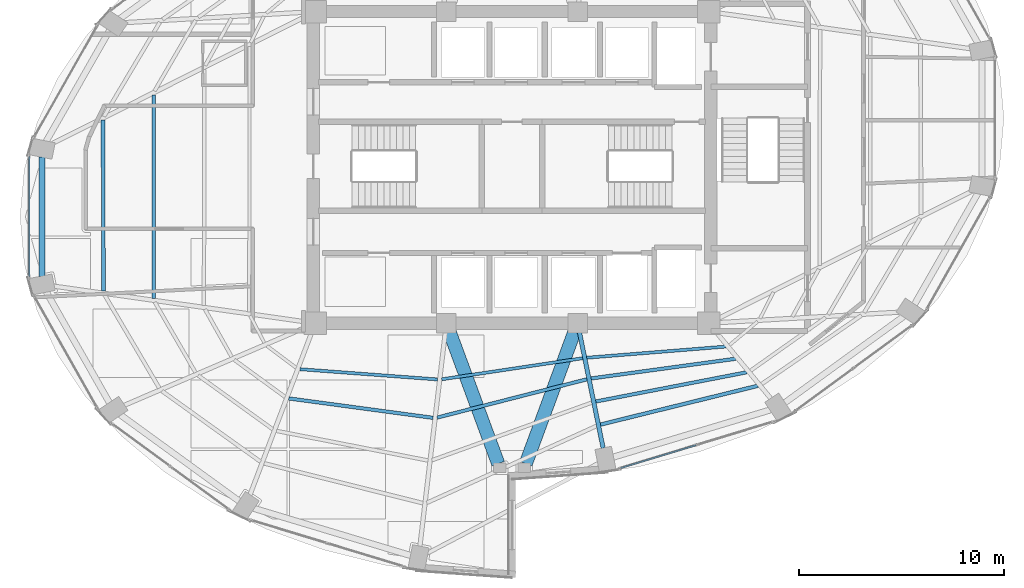
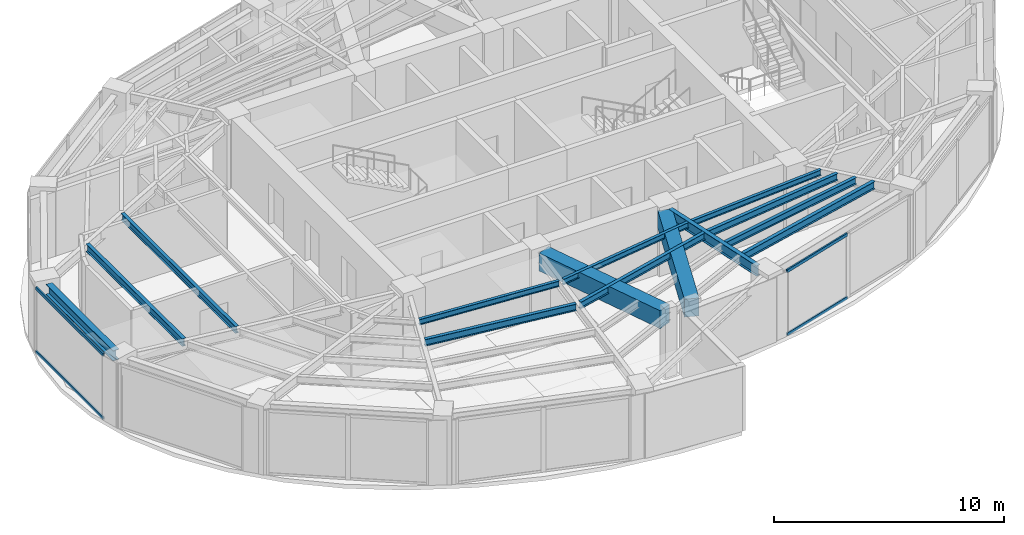
# One storey, part 5 of 20: 14 beams, 4 members, 2 elements without a shape of their own.
"""IFC4 building model written with IfcOpenShell, lengths in metres."""

from ifc_helpers import new_model, si_unit, direction, frame, origin, origin_2d, place, context, subcontext, project, spatial, rectangle, hollow_rectangle, i_section, extrude, material, layer, layer_set, material_profile, profile_set, type_object, element, aggregate, save


model = new_model("IFC4")

# Units and contexts
model_context = context("Model", 3, precision=1e-05, world=origin(), true_north=direction((0.0, 1.0)))
body_context = subcontext(model_context, "Body", "Model", "MODEL_VIEW")
ifc_project = project(units=[si_unit("LENGTHUNIT", "METRE"), si_unit("AREAUNIT", "SQUARE_METRE"), si_unit("VOLUMEUNIT", "CUBIC_METRE"), si_unit("PLANEANGLEUNIT", "RADIAN"), si_unit("MASSUNIT", "GRAM", prefix="KILO")], contexts=[model_context])

# Site, building, storey
site_placement = place(None, origin())
site = spatial("IfcSite", under=ifc_project, at=site_placement, CompositionType="ELEMENT")
building_placement = place(site_placement, origin())
building = spatial("IfcBuilding", under=site, at=building_placement, Name="Lazwardi Medical Tower", CompositionType="ELEMENT")
storey_placement = place(building_placement, frame((0.0, 0.0, 145.583984375)))
storey = spatial("IfcBuildingStorey", under=building, at=storey_placement, Name="L37", CompositionType="ELEMENT", Elevation=145.583984375)

# Beams
ifc_material_1 = material(Name="Concrete C60/75", Category="concrete")
ifc_material_profile_1 = material_profile(ifc_material_1, rectangle(XDim=0.64990234375, YDim=0.949951171875, at=origin_2d()), Name="RC 650x950")
ifc_profile_set_1 = profile_set([ifc_material_profile_1], Name="Concrete C60/75")
beam_type_1 = type_object("IfcBeamType", Name="BM-CB-RC2", PredefinedType="LINTEL", material=ifc_profile_set_1)
for number, where, z_axis, x_axis, name in (
    (1, (32.959228515625, 19.968505859375, 2.953125), (0.34601281054, -0.938229787921, 0.0), (0.938229787921, 0.34601281054, 0.0), "Core coupling lintel CB-02 PL3 L37"),
    (2, (39.040771484375, 19.968505859375, 2.953125), (-0.34601281054, -0.938229787921, 0.0), (0.938229787921, -0.34601281054, 0.0), "Core coupling lintel CB-02 PL4 L37"),
):
    element("IfcBeam", number, at=place(storey_placement, frame(where, z_axis=z_axis, x_axis=x_axis)), inside=storey, type_object=beam_type_1, Name=name, PredefinedType="LINTEL", context=body_context, shape_type="SweptSolid", body=[
        extrude(rectangle(XDim=0.64990234375, YDim=0.949951171875, at=origin_2d()), origin(), (0.0, 0.0, 1.0), 6.84423828125),
    ])
ifc_material_2 = material(Name="Steel S355", Category="steel")
ifc_material_profile_2 = material_profile(ifc_material_2, i_section(OverallWidth=0.300048828125, OverallDepth=0.550048828125, WebThickness=0.014892578125, FlangeThickness=0.029052734375, at=origin_2d()), Name="HEB 550")
ifc_profile_set_2 = profile_set([ifc_material_profile_2], Name="Steel S355")
beam_type_2 = type_object("IfcBeamType", Name="BM-RB-Z3", PredefinedType="BEAM", material=ifc_profile_set_2)
beam_1_placement = place(storey_placement, frame((13.07421875, 28.51171875, 3.153076171875), z_axis=(0.0, -1.0, 0.0), x_axis=(1.0, 0.0, 0.0)))
element("IfcBeam", 3, at=beam_1_placement, inside=storey, type_object=beam_type_2, Name="Ring beam RB-04 B12 L37", PredefinedType="BEAM", context=body_context, shape_type="SweptSolid", body=[
    extrude(i_section(OverallWidth=0.300048828125, OverallDepth=0.550048828125, WebThickness=0.014892578125, FlangeThickness=0.029052734375, at=origin_2d()), origin(), (0.0, 0.0, 1.0), 5.823486328125),
])
ifc_material_profile_3 = material_profile(ifc_material_2, i_section(OverallWidth=0.2099609375, OverallDepth=0.550048828125, WebThickness=0.010986328125, FlangeThickness=0.01708984375, at=origin_2d()), Name="IPE 550")
ifc_profile_set_3 = profile_set([ifc_material_profile_3], Name="Steel S355")
beam_type_3 = type_object("IfcBeamType", Name="BM-RG-W2", PredefinedType="BEAM", material=ifc_profile_set_3)
beam_2_placement = place(storey_placement, frame((40.447998046875, 14.2998046875, 3.153076171875), z_axis=(-0.200429485343, 0.979708130723, 0.0), x_axis=(-0.979708130723, -0.200429485343, 0.0)))
element("IfcBeam", 4, at=beam_2_placement, inside=storey, type_object=beam_type_3, Name="Radial girder RG-03 R01 L37", PredefinedType="BEAM", context=body_context, shape_type="SweptSolid", body=[
    extrude(i_section(OverallWidth=0.2099609375, OverallDepth=0.550048828125, WebThickness=0.010986328125, FlangeThickness=0.01708984375, at=origin_2d()), origin(), (0.0, 0.0, 1.0), 5.766357421875),
])
ifc_material_profile_4 = material_profile(ifc_material_2, i_section(OverallWidth=0.179931640625, OverallDepth=0.39990234375, WebThickness=0.008544921875, FlangeThickness=0.013427734375, at=origin_2d()), Name="IPE 400")
ifc_profile_set_4 = profile_set([ifc_material_profile_4], Name="Steel S355")
beam_type_4 = type_object("IfcBeamType", Name="BM-SJ-01", PredefinedType="JOIST", material=ifc_profile_set_4)
beam_3_placement = place(storey_placement, frame((40.31396484375, 15.45361328125, 3.22802734375), z_axis=(0.970912648168, 0.239433977597, 0.0), x_axis=(-0.239433977597, 0.970912648168, 0.0)))
element("IfcBeam", 5, at=beam_3_placement, inside=storey, type_object=beam_type_4, Name="Secondary joist SJ-01 R1 B01 L37", PredefinedType="JOIST", context=body_context, shape_type="SweptSolid", body=[
    extrude(i_section(OverallWidth=0.179931640625, OverallDepth=0.39990234375, WebThickness=0.008544921875, FlangeThickness=0.013427734375, at=origin_2d()), origin(), (0.0, 0.0, 1.0), 7.91162109375),
])
beam_4_placement = place(storey_placement, frame((16.04443359375, 30.30224609375, 3.22802734375), z_axis=(0.003864366017, -0.99999253331, 0.0), x_axis=(0.99999253331, 0.003864366017, 0.0)))
element("IfcBeam", 6, at=beam_4_placement, inside=storey, type_object=beam_type_4, Name="Secondary joist SJ-01 R1 B12 L37", PredefinedType="JOIST", context=body_context, shape_type="SweptSolid", body=[
    extrude(i_section(OverallWidth=0.179931640625, OverallDepth=0.39990234375, WebThickness=0.008544921875, FlangeThickness=0.013427734375, at=origin_2d()), origin(), (0.0, 0.0, 1.0), 8.33935546875),
])
ifc_material_profile_5 = material_profile(ifc_material_2, i_section(OverallWidth=0.169921875, OverallDepth=0.360107421875, WebThickness=0.008056640625, FlangeThickness=0.0126953125, at=origin_2d()), Name="IPE 360")
ifc_profile_set_5 = profile_set([ifc_material_profile_5], Name="Steel S355")
beam_type_5 = type_object("IfcBeamType", Name="BM-SJ-02", PredefinedType="JOIST", material=ifc_profile_set_5)
beam_5_placement = place(storey_placement, frame((40.083984375, 16.57861328125, 3.248046875), z_axis=(0.981753035865, 0.190160396953, 0.0), x_axis=(-0.190160396953, 0.981753035865, 0.0)))
element("IfcBeam", 7, at=beam_5_placement, inside=storey, type_object=beam_type_5, Name="Secondary joist SJ-02 R2 B01 L37", PredefinedType="JOIST", context=body_context, shape_type="SweptSolid", body=[
    extrude(i_section(OverallWidth=0.169921875, OverallDepth=0.360107421875, WebThickness=0.008056640625, FlangeThickness=0.0126953125, at=origin_2d()), origin(), (0.0, 0.0, 1.0), 7.50927734375),
])
beam_6_placement = place(storey_placement, frame((18.513671875, 31.541748046875, 3.248046875), z_axis=(0.001156040156, -0.999999331785, 0.0), x_axis=(0.999999331785, 0.001156040156, 0.0)))
element("IfcBeam", 8, at=beam_6_placement, inside=storey, type_object=beam_type_5, Name="Secondary joist SJ-02 R2 B12 L37", PredefinedType="JOIST", context=body_context, shape_type="SweptSolid", body=[
    extrude(i_section(OverallWidth=0.169921875, OverallDepth=0.360107421875, WebThickness=0.008056640625, FlangeThickness=0.0126953125, at=origin_2d()), origin(), (0.0, 0.0, 1.0), 9.92578125),
])
beam_7_placement = place(storey_placement, frame((39.853515625, 17.702880859375, 3.248046875), z_axis=(0.990832043476, 0.135099450852, 0.0), x_axis=(-0.135099450852, 0.990832043476, 0.0)))
element("IfcBeam", 9, at=beam_7_placement, inside=storey, type_object=beam_type_5, Name="Secondary joist SJ-02 R3 B01 L37", PredefinedType="JOIST", context=body_context, shape_type="SweptSolid", body=[
    extrude(i_section(OverallWidth=0.169921875, OverallDepth=0.360107421875, WebThickness=0.008056640625, FlangeThickness=0.0126953125, at=origin_2d()), origin(), (0.0, 0.0, 1.0), 7.129150390625),
])
beam_8_placement = place(storey_placement, frame((25.110107421875, 16.730224609375, 3.248046875), z_axis=(0.991056291961, -0.133444468468, 0.0), x_axis=(0.133444468468, 0.991056291961, 0.0)))
element("IfcBeam", 10, at=beam_8_placement, inside=storey, type_object=beam_type_5, Name="Secondary joist SJ-02 R3 B15 L37", PredefinedType="JOIST", context=body_context, shape_type="SweptSolid", body=[
    extrude(i_section(OverallWidth=0.169921875, OverallDepth=0.360107421875, WebThickness=0.008056640625, FlangeThickness=0.0126953125, at=origin_2d()), origin(), (0.0, 0.0, 1.0), 7.10400390625),
])
beam_9_placement = place(storey_placement, frame((32.3466796875, 15.793701171875, 3.248046875), z_axis=(0.96877632572, 0.247936344097, 0.0), x_axis=(-0.247936344097, 0.96877632572, 0.0)))
element("IfcBeam", 11, at=beam_9_placement, inside=storey, type_object=beam_type_5, Name="Secondary joist SJ-02 R3 B16 L37", PredefinedType="JOIST", context=body_context, shape_type="SweptSolid", body=[
    extrude(i_section(OverallWidth=0.169921875, OverallDepth=0.360107421875, WebThickness=0.008056640625, FlangeThickness=0.0126953125, at=origin_2d()), origin(), (0.0, 0.0, 1.0), 7.546630859375),
])
ifc_material_profile_6 = material_profile(ifc_material_2, i_section(OverallWidth=0.14990234375, OverallDepth=0.300048828125, WebThickness=0.007080078125, FlangeThickness=0.0107421875, at=origin_2d()), Name="IPE 300")
ifc_profile_set_6 = profile_set([ifc_material_profile_6], Name="Steel S355")
beam_type_6 = type_object("IfcBeamType", Name="BM-SJ-03", PredefinedType="JOIST", material=ifc_profile_set_6)
beam_10_placement = place(storey_placement, frame((39.646240234375, 18.71435546875, 3.278076171875), z_axis=(0.996785792338, 0.08011294647, 0.0), x_axis=(-0.08011294647, 0.996785792338, 0.0)))
element("IfcBeam", 12, at=beam_10_placement, inside=storey, type_object=beam_type_6, Name="Secondary joist SJ-03 R4 B01 L37", PredefinedType="JOIST", context=body_context, shape_type="SweptSolid", body=[
    extrude(i_section(OverallWidth=0.14990234375, OverallDepth=0.300048828125, WebThickness=0.007080078125, FlangeThickness=0.0107421875, at=origin_2d()), origin(), (0.0, 0.0, 1.0), 6.80810546875),
])
beam_11_placement = place(storey_placement, frame((25.650390625, 18.156494140625, 3.278076171875), z_axis=(0.99722699261, -0.074419924822, 0.0), x_axis=(0.074419924822, 0.99722699261, 0.0)))
element("IfcBeam", 13, at=beam_11_placement, inside=storey, type_object=beam_type_6, Name="Secondary joist SJ-03 R4 B15 L37", PredefinedType="JOIST", context=body_context, shape_type="SweptSolid", body=[
    extrude(i_section(OverallWidth=0.14990234375, OverallDepth=0.300048828125, WebThickness=0.007080078125, FlangeThickness=0.0107421875, at=origin_2d()), origin(), (0.0, 0.0, 1.0), 6.74169921875),
])
beam_12_placement = place(storey_placement, frame((32.57177734375, 17.662109375, 3.278076171875), z_axis=(0.98897469849, 0.148084589835, 0.0), x_axis=(-0.148084589835, 0.98897469849, 0.0)))
element("IfcBeam", 14, at=beam_12_placement, inside=storey, type_object=beam_type_6, Name="Secondary joist SJ-03 R4 B16 L37", PredefinedType="JOIST", context=body_context, shape_type="SweptSolid", body=[
    extrude(i_section(OverallWidth=0.14990234375, OverallDepth=0.300048828125, WebThickness=0.007080078125, FlangeThickness=0.0107421875, at=origin_2d()), origin(), (0.0, 0.0, 1.0), 6.952392578125),
])

# Curtain wall, members
ifc_material_3 = material(Name="Anodised bronze aluminium and solar control glazing", Category="aluminium")
ifc_layer = layer(ifc_material_3, 0.195068359375)
ifc_layer_set = layer_set([ifc_layer], Name="Anodised bronze aluminium and solar control glazing")
curtain_wall_type = type_object("IfcCurtainWallType", Name="CW-SYS-03", PredefinedType="NOTDEFINED", material=ifc_layer_set)
curtain_wall_1_placement = place(storey_placement, origin())
curtain_wall_1 = element("IfcCurtainWall", 15, at=curtain_wall_1_placement, inside=storey, type_object=curtain_wall_type, Name="L37 Unitised bronze curtain wall CW-03", PredefinedType="NOTDEFINED")
ifc_material_4 = material(Name="Anodised bronze aluminium", Category="aluminium")
ifc_material_profile_7 = material_profile(ifc_material_4, hollow_rectangle(XDim=0.074951171875, YDim=0.159912109375, WallThickness=0.00390625, at=origin_2d()), Name="ALU-TRANSOM 160x75x4")
ifc_profile_set_7 = profile_set([ifc_material_profile_7], Name="Anodised bronze aluminium")
member_type = type_object("IfcMemberType", Name="CW-TRN-01", PredefinedType="USERDEFINED", material=ifc_profile_set_7)
member_1_placement = place(storey_placement, frame((41.307861328125, 13.336669921875, 0.03759765625), z_axis=(0.956935517424, 0.290300560612, 0.0), x_axis=(-0.290300560612, 0.956935517424, 0.0)))
member_1 = element("IfcMember", 16, at=member_1_placement, type_object=member_type, Name="CW-03 transom 1.1", ObjectType="TRANSOM", PredefinedType="USERDEFINED", context=body_context, shape_type="SweptSolid", body=[
    extrude(hollow_rectangle(XDim=0.074951171875, YDim=0.159912109375, WallThickness=0.00390625, at=origin_2d()), origin(), (0.0, 0.0, 1.0), 3.836669921875),
])
member_2_placement = place(storey_placement, frame((41.307861328125, 13.336669921875, 3.390625), z_axis=(0.956935517424, 0.290300560612, 0.0), x_axis=(-0.290300560612, 0.956935517424, 0.0)))
member_2 = element("IfcMember", 17, at=member_2_placement, type_object=member_type, Name="CW-03 transom 1.2", ObjectType="TRANSOM", PredefinedType="USERDEFINED", context=body_context, shape_type="SweptSolid", body=[
    extrude(hollow_rectangle(XDim=0.074951171875, YDim=0.159912109375, WallThickness=0.00390625, at=origin_2d()), origin(), (0.0, 0.0, 1.0), 3.836669921875),
])
aggregate(curtain_wall_1, [member_1, member_2])

curtain_wall_2_placement = place(storey_placement, origin())
curtain_wall_2 = element("IfcCurtainWall", 18, at=curtain_wall_2_placement, inside=storey, type_object=curtain_wall_type, Name="L37 Unitised bronze curtain wall CW-03", PredefinedType="NOTDEFINED")
member_3_placement = place(storey_placement, frame((12.4423828125, 28.5205078125, 0.03759765625), z_axis=(0.0, -1.0, 0.0), x_axis=(1.0, 0.0, 0.0)))
member_3 = element("IfcMember", 19, at=member_3_placement, type_object=member_type, Name="CW-03 transom 1.1", ObjectType="TRANSOM", PredefinedType="USERDEFINED", context=body_context, shape_type="SweptSolid", body=[
    extrude(hollow_rectangle(XDim=0.074951171875, YDim=0.159912109375, WallThickness=0.00390625, at=origin_2d()), origin(), (0.0, 0.0, 1.0), 5.8408203125),
])
member_4_placement = place(storey_placement, frame((12.4423828125, 28.5205078125, 3.390625), z_axis=(0.0, -1.0, 0.0), x_axis=(1.0, 0.0, 0.0)))
member_4 = element("IfcMember", 20, at=member_4_placement, type_object=member_type, Name="CW-03 transom 1.2", ObjectType="TRANSOM", PredefinedType="USERDEFINED", context=body_context, shape_type="SweptSolid", body=[
    extrude(hollow_rectangle(XDim=0.074951171875, YDim=0.159912109375, WallThickness=0.00390625, at=origin_2d()), origin(), (0.0, 0.0, 1.0), 5.8408203125),
])
aggregate(curtain_wall_2, [member_3, member_4])

save(model, "model.ifc")
